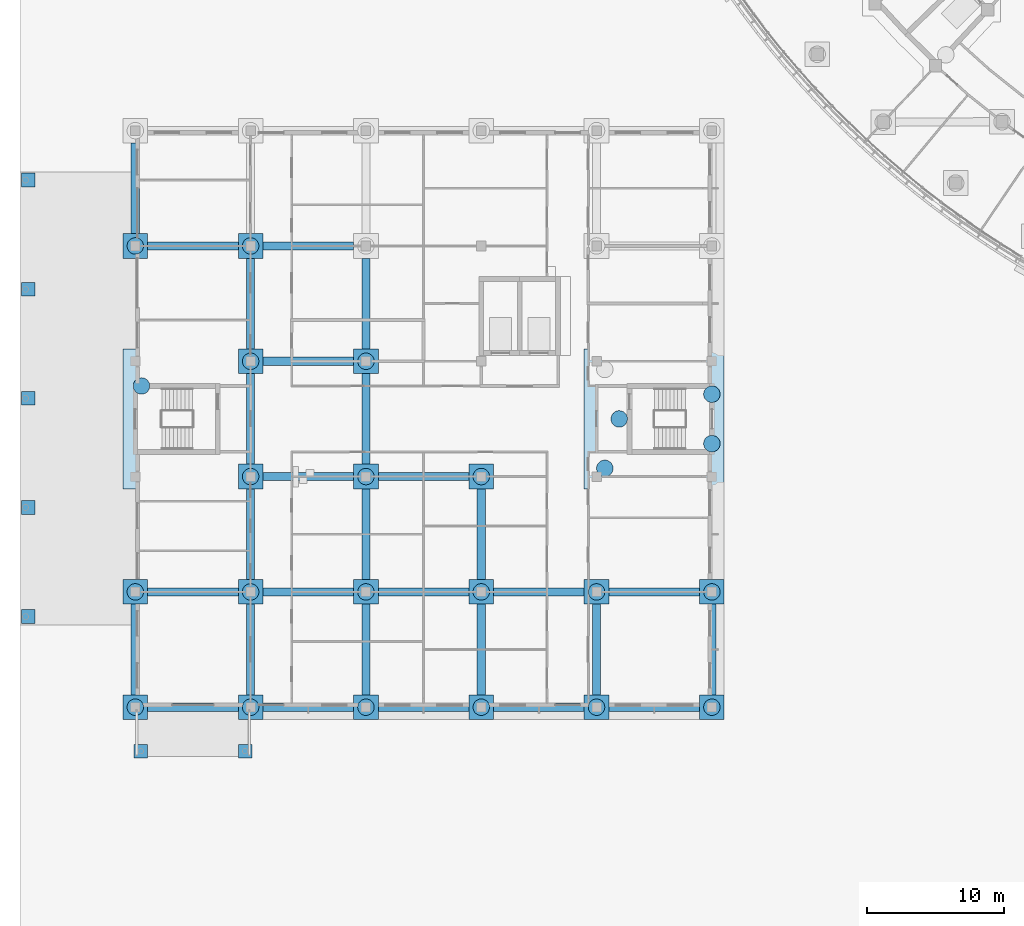
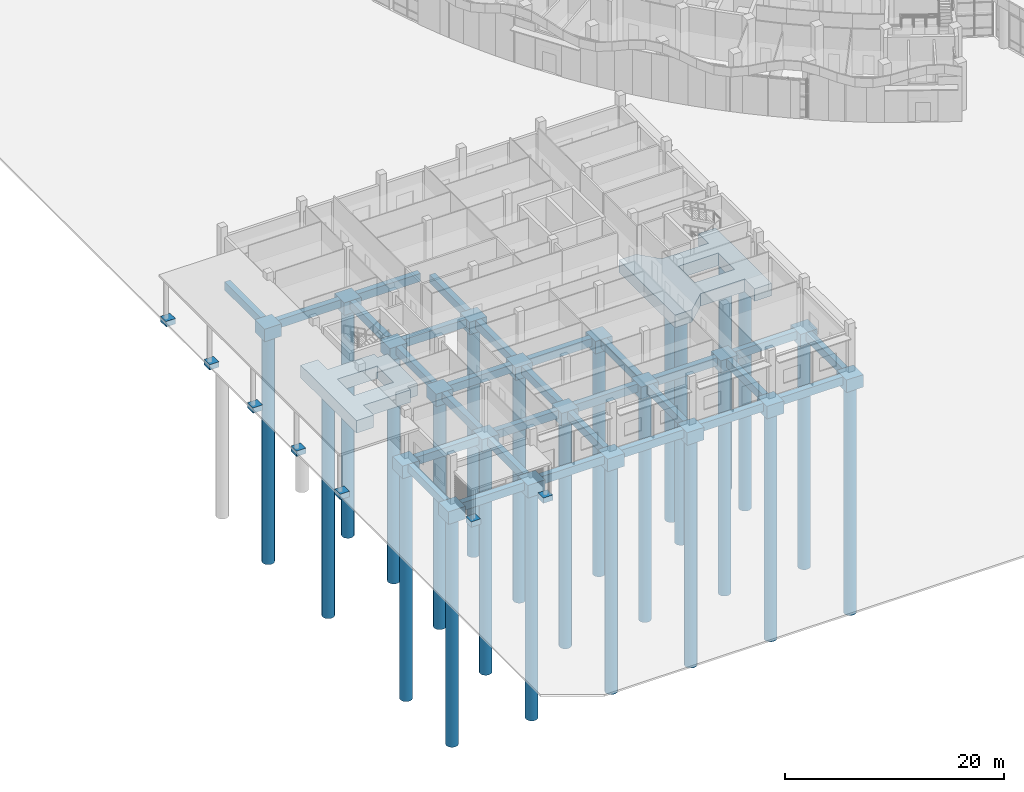
# One storey, part 1 of 146: 57 footings, 24 piles.
"""IFC4 building model written with IfcOpenShell, lengths in metres."""

from ifc_helpers import new_model, si_unit, direction, frame, origin, origin_2d, place, context, subcontext, project, spatial, polyline, rectangle, circle, outline, extrude, material, material_profile, profile_set, type_object, element, save


model = new_model("IFC4")

# Units and contexts
model_context = context("Model", 3, precision=1e-05, world=origin(), true_north=direction((0.0, 1.0)))
body_context = subcontext(model_context, "Body", "Model", "MODEL_VIEW")
ifc_project = project(units=[si_unit("LENGTHUNIT", "METRE"), si_unit("AREAUNIT", "SQUARE_METRE"), si_unit("VOLUMEUNIT", "CUBIC_METRE"), si_unit("PLANEANGLEUNIT", "RADIAN"), si_unit("MASSUNIT", "GRAM", prefix="KILO")], contexts=[model_context])

# Site, building, storey
site_placement = place(None, origin())
site = spatial("IfcSite", under=ifc_project, at=site_placement, CompositionType="ELEMENT")
building_placement = place(site_placement, origin())
building = spatial("IfcBuilding", under=site, at=building_placement, Name="Bougainvillea Quay General Hospital", CompositionType="ELEMENT")
storey_placement = place(building_placement, origin())
storey = spatial("IfcBuildingStorey", under=building, at=storey_placement, Name="L00", CompositionType="ELEMENT", Elevation=0.0)

# Piles
ifc_material_1 = material(Name="Concrete C40", Category="concrete")
ifc_material_profile_1 = material_profile(ifc_material_1, circle(Radius=0.60009765625, at=origin_2d()))
ifc_profile_set_1 = profile_set([ifc_material_profile_1], Name="Concrete C40")
pile_type = type_object("IfcPileType", Name="BORED PILE D1200 C40", PredefinedType="BORED", material=ifc_profile_set_1)
for number, where, z_axis, x_axis, name in (
    (1, (8.39990234375, 33.60009765625, -1.60009765625), (0.0, 0.0, -1.0), (1.0, 0.0, 0.0), "Bored pile 012-01"),
    (2, (16.800048828125, 33.60009765625, -1.60009765625), (0.0, 0.0, -1.0), (1.0, 0.0, 0.0), "Bored pile 013-01"),
    (3, (25.199951171875, 33.60009765625, -1.60009765625), (0.0, 0.0, -1.0), (1.0, 0.0, 0.0), "Bored pile 014-01"),
    (4, (33.60009765625, 33.60009765625, -1.60009765625), (0.0, 0.0, -1.0), (1.0, 0.0, 0.0), "Bored pile 015-01"),
    (5, (42.0, 33.60009765625, -1.60009765625), (0.0, 0.0, -1.0), (1.0, 0.0, 0.0), "Bored pile 016-01"),
    (6, (50.39990234375, 33.60009765625, -1.60009765625), (0.0, 0.0, -1.0), (1.0, 0.0, 0.0), "Bored pile 017-01"),
    (7, (8.39990234375, 42.0, -1.60009765625), (0.0, 0.0, -1.0), (1.0, 0.0, 0.0), "Bored pile 026-01"),
    (8, (16.800048828125, 42.0, -1.60009765625), (0.0, 0.0, -1.0), (1.0, 0.0, 0.0), "Bored pile 027-01"),
    (9, (25.199951171875, 42.0, -1.60009765625), (0.0, 0.0, -1.0), (1.0, 0.0, 0.0), "Bored pile 028-01"),
    (10, (33.60009765625, 42.0, -1.60009765625), (0.0, 0.0, -1.0), (1.0, 0.0, 0.0), "Bored pile 029-01"),
    (11, (42.0, 42.0, -1.60009765625), (0.0, 0.0, -1.0), (1.0, 0.0, 0.0), "Bored pile 030-01"),
    (12, (50.39990234375, 42.0, -1.60009765625), (0.0, 0.0, -1.0), (1.0, 0.0, 0.0), "Bored pile 031-01"),
    (13, (16.800048828125, 50.39990234375, -1.60009765625), (0.0, 0.0, -1.0), (1.0, 0.0, 0.0), "Bored pile 048-01"),
    (14, (25.199951171875, 50.39990234375, -1.60009765625), (0.0, 0.0, -1.0), (1.0, 0.0, 0.0), "Bored pile 049-01"),
    (15, (33.60009765625, 50.39990234375, -1.60009765625), (0.0, 0.0, -1.0), (1.0, 0.0, 0.0), "Bored pile 050-01"),
    (16, (42.60009765625, 51.0, -1.60009765625), (0.0, 0.0, -1.0), (1.0, 0.0, 0.0), "Bored pile 060-01"),
    (17, (50.39990234375, 52.800048828125, -1.60009765625), (0.0, 0.0, -1.0), (1.0, 0.0, 0.0), "Bored pile 060-02"),
    (18, (43.64990234375, 54.60009765625, -1.60009765625), (0.0, 0.0, -1.0), (1.0, 0.0, 0.0), "Bored pile 060-03"),
    (19, (50.39990234375, 56.39990234375, -1.60009765625), (0.0, 0.0, -1.0), (1.0, 0.0, 0.0), "Bored pile 060-04"),
    (20, (8.85009765625, 57.0, -1.60009765625), (0.0, 0.0, -1.0), (1.0, 0.0, 0.0), "Bored pile 063-01"),
    (21, (16.800048828125, 58.800048828125, -1.60009765625), (0.0, 0.0, -1.0), (1.0, 0.0, 0.0), "Bored pile 070-01"),
    (22, (25.199951171875, 58.800048828125, -1.60009765625), (0.0, 0.0, -1.0), (1.0, 0.0, 0.0), "Bored pile 071-01"),
    (23, (8.39990234375, 67.199951171875, -1.60009765625), (0.0, 0.0, -1.0), (1.0, 0.0, 0.0), "Bored pile 086-01"),
    (24, (16.800048828125, 67.199951171875, -1.60009765625), (0.0, 0.0, -1.0), (1.0, 0.0, 0.0), "Bored pile 087-01"),
):
    element("IfcPile", number, at=place(storey_placement, frame(where, z_axis=z_axis, x_axis=x_axis)), inside=storey, type_object=pile_type, Name=name, PredefinedType="BORED", context=body_context, shape_type="SweptSolid", body=[
        extrude(circle(Radius=0.60009765625, at=origin_2d()), origin(), (0.0, 0.0, 1.0), 25.39990234375),
    ])

# Footings
ifc_material_2 = material(Name="Concrete C35", Category="concrete")
footing_type_1 = type_object("IfcFootingType", Name="PAD FOOTING 1000x1000x600", PredefinedType="PAD_FOOTING", material=ifc_material_2)
footing_1_placement = place(storey_placement, frame((0.0, 0.0, -0.60009765625)))
element("IfcFooting", 25, at=footing_1_placement, inside=storey, type_object=footing_type_1, Name="Canopy post pad footing 1", PredefinedType="PAD_FOOTING", context=body_context, shape_type="SweptSolid", body=[
    extrude(outline(polyline([(0.10009765625, 39.699951171875), (1.10009765625, 39.699951171875), (1.10009765625, 40.699951171875), (0.10009765625, 40.699951171875), (0.10009765625, 39.699951171875)])), origin(), (0.0, 0.0, 1.0), 0.60009765625),
])
footing_2_placement = place(storey_placement, frame((0.0, 0.0, -0.60009765625)))
element("IfcFooting", 26, at=footing_2_placement, inside=storey, type_object=footing_type_1, Name="Canopy post pad footing 2", PredefinedType="PAD_FOOTING", context=body_context, shape_type="SweptSolid", body=[
    extrude(outline(polyline([(0.10009765625, 47.64990234375), (1.10009765625, 47.64990234375), (1.10009765625, 48.64990234375), (0.10009765625, 48.64990234375), (0.10009765625, 47.64990234375)])), origin(), (0.0, 0.0, 1.0), 0.60009765625),
])
footing_3_placement = place(storey_placement, frame((0.0, 0.0, -0.60009765625)))
element("IfcFooting", 27, at=footing_3_placement, inside=storey, type_object=footing_type_1, Name="Canopy post pad footing 3", PredefinedType="PAD_FOOTING", context=body_context, shape_type="SweptSolid", body=[
    extrude(outline(polyline([(0.10009765625, 55.60009765625), (1.10009765625, 55.60009765625), (1.10009765625, 56.60009765625), (0.10009765625, 56.60009765625), (0.10009765625, 55.60009765625)])), origin(), (0.0, 0.0, 1.0), 0.60009765625),
])
footing_4_placement = place(storey_placement, frame((0.0, 0.0, -0.60009765625)))
element("IfcFooting", 28, at=footing_4_placement, inside=storey, type_object=footing_type_1, Name="Canopy post pad footing 4", PredefinedType="PAD_FOOTING", context=body_context, shape_type="SweptSolid", body=[
    extrude(outline(polyline([(0.10009765625, 63.550048828125), (1.10009765625, 63.550048828125), (1.10009765625, 64.550048828125), (0.10009765625, 64.550048828125), (0.10009765625, 63.550048828125)])), origin(), (0.0, 0.0, 1.0), 0.60009765625),
])
footing_5_placement = place(storey_placement, frame((0.0, 0.0, -0.60009765625)))
element("IfcFooting", 29, at=footing_5_placement, inside=storey, type_object=footing_type_1, Name="Canopy post pad footing 5", PredefinedType="PAD_FOOTING", context=body_context, shape_type="SweptSolid", body=[
    extrude(outline(polyline([(0.10009765625, 71.5), (1.10009765625, 71.5), (1.10009765625, 72.5), (0.10009765625, 72.5), (0.10009765625, 71.5)])), origin(), (0.0, 0.0, 1.0), 0.60009765625),
])
footing_6_placement = place(storey_placement, frame((0.0, 0.0, -0.60009765625)))
element("IfcFooting", 30, at=footing_6_placement, inside=storey, type_object=footing_type_1, Name="Canopy post pad footing 1", PredefinedType="PAD_FOOTING", context=body_context, shape_type="SweptSolid", body=[
    extrude(outline(polyline([(8.300048828125, 29.89990234375), (9.300048828125, 29.89990234375), (9.300048828125, 30.89990234375), (8.300048828125, 30.89990234375), (8.300048828125, 29.89990234375)])), origin(), (0.0, 0.0, 1.0), 0.60009765625),
])
footing_7_placement = place(storey_placement, frame((0.0, 0.0, -0.60009765625)))
element("IfcFooting", 31, at=footing_7_placement, inside=storey, type_object=footing_type_1, Name="Canopy post pad footing 2", PredefinedType="PAD_FOOTING", context=body_context, shape_type="SweptSolid", body=[
    extrude(outline(polyline([(15.89990234375, 29.89990234375), (16.89990234375, 29.89990234375), (16.89990234375, 30.89990234375), (15.89990234375, 30.89990234375), (15.89990234375, 29.89990234375)])), origin(), (0.0, 0.0, 1.0), 0.60009765625),
])
footing_type_2 = type_object("IfcFootingType", Name="PILE CAP 1P D1200 1800x1800x1400", PredefinedType="PILE_CAP", material=ifc_material_2)
footing_8_placement = place(storey_placement, frame((0.0, 0.0, -1.699951171875)))
element("IfcFooting", 32, at=footing_8_placement, inside=storey, type_object=footing_type_2, Name="Pile cap PC1 012", PredefinedType="PILE_CAP", context=body_context, shape_type="SweptSolid", body=[
    extrude(outline(polyline([(7.5, 32.699951171875), (9.300048828125, 32.699951171875), (9.300048828125, 34.5), (7.5, 34.5), (7.5, 32.699951171875)])), origin(), (0.0, 0.0, 1.0), 1.39990234375),
])
footing_9_placement = place(storey_placement, frame((0.0, 0.0, -1.699951171875)))
element("IfcFooting", 33, at=footing_9_placement, inside=storey, type_object=footing_type_2, Name="Pile cap PC1 013", PredefinedType="PILE_CAP", context=body_context, shape_type="SweptSolid", body=[
    extrude(outline(polyline([(15.89990234375, 32.699951171875), (17.699951171875, 32.699951171875), (17.699951171875, 34.5), (15.89990234375, 34.5), (15.89990234375, 32.699951171875)])), origin(), (0.0, 0.0, 1.0), 1.39990234375),
])
footing_10_placement = place(storey_placement, frame((0.0, 0.0, -1.699951171875)))
element("IfcFooting", 34, at=footing_10_placement, inside=storey, type_object=footing_type_2, Name="Pile cap PC1 014", PredefinedType="PILE_CAP", context=body_context, shape_type="SweptSolid", body=[
    extrude(outline(polyline([(24.300048828125, 32.699951171875), (26.10009765625, 32.699951171875), (26.10009765625, 34.5), (24.300048828125, 34.5), (24.300048828125, 32.699951171875)])), origin(), (0.0, 0.0, 1.0), 1.39990234375),
])
footing_11_placement = place(storey_placement, frame((0.0, 0.0, -1.699951171875)))
element("IfcFooting", 35, at=footing_11_placement, inside=storey, type_object=footing_type_2, Name="Pile cap PC1 015", PredefinedType="PILE_CAP", context=body_context, shape_type="SweptSolid", body=[
    extrude(outline(polyline([(32.699951171875, 32.699951171875), (34.5, 32.699951171875), (34.5, 34.5), (32.699951171875, 34.5), (32.699951171875, 32.699951171875)])), origin(), (0.0, 0.0, 1.0), 1.39990234375),
])
footing_12_placement = place(storey_placement, frame((0.0, 0.0, -1.699951171875)))
element("IfcFooting", 36, at=footing_12_placement, inside=storey, type_object=footing_type_2, Name="Pile cap PC1 016", PredefinedType="PILE_CAP", context=body_context, shape_type="SweptSolid", body=[
    extrude(outline(polyline([(41.10009765625, 32.699951171875), (42.89990234375, 32.699951171875), (42.89990234375, 34.5), (41.10009765625, 34.5), (41.10009765625, 32.699951171875)])), origin(), (0.0, 0.0, 1.0), 1.39990234375),
])
footing_13_placement = place(storey_placement, frame((0.0, 0.0, -1.699951171875)))
element("IfcFooting", 37, at=footing_13_placement, inside=storey, type_object=footing_type_2, Name="Pile cap PC1 017", PredefinedType="PILE_CAP", context=body_context, shape_type="SweptSolid", body=[
    extrude(outline(polyline([(49.5, 32.699951171875), (51.300048828125, 32.699951171875), (51.300048828125, 34.5), (49.5, 34.5), (49.5, 32.699951171875)])), origin(), (0.0, 0.0, 1.0), 1.39990234375),
])
footing_14_placement = place(storey_placement, frame((0.0, 0.0, -1.699951171875)))
element("IfcFooting", 38, at=footing_14_placement, inside=storey, type_object=footing_type_2, Name="Pile cap PC1 026", PredefinedType="PILE_CAP", context=body_context, shape_type="SweptSolid", body=[
    extrude(outline(polyline([(7.5, 41.10009765625), (9.300048828125, 41.10009765625), (9.300048828125, 42.89990234375), (7.5, 42.89990234375), (7.5, 41.10009765625)])), origin(), (0.0, 0.0, 1.0), 1.39990234375),
])
footing_15_placement = place(storey_placement, frame((0.0, 0.0, -1.699951171875)))
element("IfcFooting", 39, at=footing_15_placement, inside=storey, type_object=footing_type_2, Name="Pile cap PC1 027", PredefinedType="PILE_CAP", context=body_context, shape_type="SweptSolid", body=[
    extrude(outline(polyline([(15.89990234375, 41.10009765625), (17.699951171875, 41.10009765625), (17.699951171875, 42.89990234375), (15.89990234375, 42.89990234375), (15.89990234375, 41.10009765625)])), origin(), (0.0, 0.0, 1.0), 1.39990234375),
])
footing_16_placement = place(storey_placement, frame((0.0, 0.0, -1.699951171875)))
element("IfcFooting", 40, at=footing_16_placement, inside=storey, type_object=footing_type_2, Name="Pile cap PC1 028", PredefinedType="PILE_CAP", context=body_context, shape_type="SweptSolid", body=[
    extrude(outline(polyline([(24.300048828125, 41.10009765625), (26.10009765625, 41.10009765625), (26.10009765625, 42.89990234375), (24.300048828125, 42.89990234375), (24.300048828125, 41.10009765625)])), origin(), (0.0, 0.0, 1.0), 1.39990234375),
])
footing_17_placement = place(storey_placement, frame((0.0, 0.0, -1.699951171875)))
element("IfcFooting", 41, at=footing_17_placement, inside=storey, type_object=footing_type_2, Name="Pile cap PC1 029", PredefinedType="PILE_CAP", context=body_context, shape_type="SweptSolid", body=[
    extrude(outline(polyline([(32.699951171875, 41.10009765625), (34.5, 41.10009765625), (34.5, 42.89990234375), (32.699951171875, 42.89990234375), (32.699951171875, 41.10009765625)])), origin(), (0.0, 0.0, 1.0), 1.39990234375),
])
footing_18_placement = place(storey_placement, frame((0.0, 0.0, -1.699951171875)))
element("IfcFooting", 42, at=footing_18_placement, inside=storey, type_object=footing_type_2, Name="Pile cap PC1 030", PredefinedType="PILE_CAP", context=body_context, shape_type="SweptSolid", body=[
    extrude(outline(polyline([(41.10009765625, 41.10009765625), (42.89990234375, 41.10009765625), (42.89990234375, 42.89990234375), (41.10009765625, 42.89990234375), (41.10009765625, 41.10009765625)])), origin(), (0.0, 0.0, 1.0), 1.39990234375),
])
footing_19_placement = place(storey_placement, frame((0.0, 0.0, -1.699951171875)))
element("IfcFooting", 43, at=footing_19_placement, inside=storey, type_object=footing_type_2, Name="Pile cap PC1 031", PredefinedType="PILE_CAP", context=body_context, shape_type="SweptSolid", body=[
    extrude(outline(polyline([(49.5, 41.10009765625), (51.300048828125, 41.10009765625), (51.300048828125, 42.89990234375), (49.5, 42.89990234375), (49.5, 41.10009765625)])), origin(), (0.0, 0.0, 1.0), 1.39990234375),
])
footing_20_placement = place(storey_placement, frame((0.0, 0.0, -1.699951171875)))
element("IfcFooting", 44, at=footing_20_placement, inside=storey, type_object=footing_type_2, Name="Pile cap PC1 048", PredefinedType="PILE_CAP", context=body_context, shape_type="SweptSolid", body=[
    extrude(outline(polyline([(15.89990234375, 49.5), (17.699951171875, 49.5), (17.699951171875, 51.300048828125), (15.89990234375, 51.300048828125), (15.89990234375, 49.5)])), origin(), (0.0, 0.0, 1.0), 1.39990234375),
])
footing_21_placement = place(storey_placement, frame((0.0, 0.0, -1.699951171875)))
element("IfcFooting", 45, at=footing_21_placement, inside=storey, type_object=footing_type_2, Name="Pile cap PC1 049", PredefinedType="PILE_CAP", context=body_context, shape_type="SweptSolid", body=[
    extrude(outline(polyline([(24.300048828125, 49.5), (26.10009765625, 49.5), (26.10009765625, 51.300048828125), (24.300048828125, 51.300048828125), (24.300048828125, 49.5)])), origin(), (0.0, 0.0, 1.0), 1.39990234375),
])
footing_22_placement = place(storey_placement, frame((0.0, 0.0, -1.699951171875)))
element("IfcFooting", 46, at=footing_22_placement, inside=storey, type_object=footing_type_2, Name="Pile cap PC1 050", PredefinedType="PILE_CAP", context=body_context, shape_type="SweptSolid", body=[
    extrude(outline(polyline([(32.699951171875, 49.5), (34.5, 49.5), (34.5, 51.300048828125), (32.699951171875, 51.300048828125), (32.699951171875, 49.5)])), origin(), (0.0, 0.0, 1.0), 1.39990234375),
])
footing_23_placement = place(storey_placement, frame((0.0, 0.0, -1.699951171875)))
element("IfcFooting", 47, at=footing_23_placement, inside=storey, type_object=footing_type_2, Name="Pile cap PC1 070", PredefinedType="PILE_CAP", context=body_context, shape_type="SweptSolid", body=[
    extrude(outline(polyline([(15.89990234375, 57.89990234375), (17.699951171875, 57.89990234375), (17.699951171875, 59.699951171875), (15.89990234375, 59.699951171875), (15.89990234375, 57.89990234375)])), origin(), (0.0, 0.0, 1.0), 1.39990234375),
])
footing_24_placement = place(storey_placement, frame((0.0, 0.0, -1.699951171875)))
element("IfcFooting", 48, at=footing_24_placement, inside=storey, type_object=footing_type_2, Name="Pile cap PC1 071", PredefinedType="PILE_CAP", context=body_context, shape_type="SweptSolid", body=[
    extrude(outline(polyline([(24.300048828125, 57.89990234375), (26.10009765625, 57.89990234375), (26.10009765625, 59.699951171875), (24.300048828125, 59.699951171875), (24.300048828125, 57.89990234375)])), origin(), (0.0, 0.0, 1.0), 1.39990234375),
])
footing_25_placement = place(storey_placement, frame((0.0, 0.0, -1.699951171875)))
element("IfcFooting", 49, at=footing_25_placement, inside=storey, type_object=footing_type_2, Name="Pile cap PC1 086", PredefinedType="PILE_CAP", context=body_context, shape_type="SweptSolid", body=[
    extrude(outline(polyline([(7.5, 66.300048828125), (9.300048828125, 66.300048828125), (9.300048828125, 68.10009765625), (7.5, 68.10009765625), (7.5, 66.300048828125)])), origin(), (0.0, 0.0, 1.0), 1.39990234375),
])
footing_26_placement = place(storey_placement, frame((0.0, 0.0, -1.699951171875)))
element("IfcFooting", 50, at=footing_26_placement, inside=storey, type_object=footing_type_2, Name="Pile cap PC1 087", PredefinedType="PILE_CAP", context=body_context, shape_type="SweptSolid", body=[
    extrude(outline(polyline([(15.89990234375, 66.300048828125), (17.699951171875, 66.300048828125), (17.699951171875, 68.10009765625), (15.89990234375, 68.10009765625), (15.89990234375, 66.300048828125)])), origin(), (0.0, 0.0, 1.0), 1.39990234375),
])
footing_type_3 = type_object("IfcFootingType", Name="PILE CAP RAFT 1P D1200 4407", PredefinedType="PILE_CAP", material=ifc_material_2)
footing_27_placement = place(storey_placement, frame((0.0, 0.0, -1.699951171875)))
element("IfcFooting", 51, at=footing_27_placement, inside=storey, type_object=footing_type_3, Name="Pile cap PC5 063", PredefinedType="PILE_CAP", context=body_context, shape_type="SweptSolid", body=[
    extrude(outline(polyline([(14.22509765625, 51.300048828125), (9.300048828125, 51.300048828125), (9.300048828125, 49.5), (7.5, 49.5), (7.5, 59.699951171875), (9.300048828125, 59.699951171875), (9.300048828125, 57.89990234375), (14.22509765625, 57.89990234375), (14.22509765625, 57.300048828125), (15.300048828125, 57.300048828125), (15.300048828125, 51.89990234375), (14.22509765625, 51.89990234375), (14.22509765625, 51.300048828125)]), holes=[polyline([(9.300048828125, 56.10009765625), (9.300048828125, 53.10009765625), (13.5, 53.10009765625), (13.5, 56.10009765625), (9.300048828125, 56.10009765625)])]), origin(), (0.0, 0.0, 1.0), 1.39990234375),
])
footing_type_4 = type_object("IfcFootingType", Name="PILE CAP RAFT 5P D1200 7094", PredefinedType="PILE_CAP", material=ifc_material_2)
footing_28_placement = place(storey_placement, frame((0.0, 0.0, -1.699951171875)))
element("IfcFooting", 52, at=footing_28_placement, inside=storey, type_object=footing_type_4, Name="Pile cap PC4 060", PredefinedType="PILE_CAP", context=body_context, shape_type="SweptSolid", body=[
    extrude(outline(polyline([(44.841552734375, 51.300048828125), (42.89990234375, 49.5), (41.10009765625, 49.5), (41.10009765625, 59.699951171875), (42.89990234375, 59.699951171875), (44.57763671875, 57.89990234375), (49.5, 57.89990234375), (49.5, 59.699951171875), (51.300048828125, 59.699951171875), (51.300048828125, 49.5), (49.5, 49.5), (49.5, 51.300048828125), (44.841552734375, 51.300048828125)]), holes=[polyline([(45.300048828125, 56.10009765625), (45.300048828125, 53.10009765625), (49.5, 53.10009765625), (49.5, 56.10009765625), (45.300048828125, 56.10009765625)])]), origin(), (0.0, 0.0, 1.0), 1.39990234375),
])
ifc_material_profile_2 = material_profile(ifc_material_2, rectangle(XDim=0.60009765625, YDim=0.89990234375, at=origin_2d()))
ifc_profile_set_2 = profile_set([ifc_material_profile_2], Name="Concrete C35")
footing_type_5 = type_object("IfcFootingType", Name="RC GROUND BEAM 600x900 C35", PredefinedType="FOOTING_BEAM", material=ifc_profile_set_2)
footing_29_placement = place(storey_placement, frame((0.0, 0.0, -1.199951171875)))
element("IfcFooting", 53, at=footing_29_placement, inside=storey, type_object=footing_type_5, Name="Ground beam 007", PredefinedType="FOOTING_BEAM", context=body_context, shape_type="SweptSolid", body=[
    extrude(outline(polyline([(9.300048828125, 33.89990234375), (15.89990234375, 33.89990234375), (15.89990234375, 33.300048828125), (9.300048828125, 33.300048828125), (9.300048828125, 33.89990234375)])), origin(), (0.0, 0.0, 1.0), 0.89990234375),
])
footing_30_placement = place(storey_placement, frame((0.0, 0.0, -1.199951171875)))
element("IfcFooting", 54, at=footing_30_placement, inside=storey, type_object=footing_type_5, Name="Ground beam 008", PredefinedType="FOOTING_BEAM", context=body_context, shape_type="SweptSolid", body=[
    extrude(outline(polyline([(8.10009765625, 34.5), (8.10009765625, 41.10009765625), (8.699951171875, 41.10009765625), (8.699951171875, 34.5), (8.10009765625, 34.5)])), origin(), (0.0, 0.0, 1.0), 0.89990234375),
])
footing_31_placement = place(storey_placement, frame((0.0, 0.0, -1.199951171875)))
element("IfcFooting", 55, at=footing_31_placement, inside=storey, type_object=footing_type_5, Name="Ground beam 009", PredefinedType="FOOTING_BEAM", context=body_context, shape_type="SweptSolid", body=[
    extrude(outline(polyline([(17.699951171875, 33.89990234375), (24.300048828125, 33.89990234375), (24.300048828125, 33.300048828125), (17.699951171875, 33.300048828125), (17.699951171875, 33.89990234375)])), origin(), (0.0, 0.0, 1.0), 0.89990234375),
])
footing_32_placement = place(storey_placement, frame((0.0, 0.0, -1.199951171875)))
element("IfcFooting", 56, at=footing_32_placement, inside=storey, type_object=footing_type_5, Name="Ground beam 010", PredefinedType="FOOTING_BEAM", context=body_context, shape_type="SweptSolid", body=[
    extrude(outline(polyline([(16.5, 34.5), (16.5, 41.10009765625), (17.10009765625, 41.10009765625), (17.10009765625, 34.5), (16.5, 34.5)])), origin(), (0.0, 0.0, 1.0), 0.89990234375),
])
footing_33_placement = place(storey_placement, frame((0.0, 0.0, -1.199951171875)))
element("IfcFooting", 57, at=footing_33_placement, inside=storey, type_object=footing_type_5, Name="Ground beam 011", PredefinedType="FOOTING_BEAM", context=body_context, shape_type="SweptSolid", body=[
    extrude(outline(polyline([(26.10009765625, 33.89990234375), (32.699951171875, 33.89990234375), (32.699951171875, 33.300048828125), (26.10009765625, 33.300048828125), (26.10009765625, 33.89990234375)])), origin(), (0.0, 0.0, 1.0), 0.89990234375),
])
footing_34_placement = place(storey_placement, frame((0.0, 0.0, -1.199951171875)))
element("IfcFooting", 58, at=footing_34_placement, inside=storey, type_object=footing_type_5, Name="Ground beam 012", PredefinedType="FOOTING_BEAM", context=body_context, shape_type="SweptSolid", body=[
    extrude(outline(polyline([(24.89990234375, 34.5), (24.89990234375, 41.10009765625), (25.5, 41.10009765625), (25.5, 34.5), (24.89990234375, 34.5)])), origin(), (0.0, 0.0, 1.0), 0.89990234375),
])
footing_35_placement = place(storey_placement, frame((0.0, 0.0, -1.199951171875)))
element("IfcFooting", 59, at=footing_35_placement, inside=storey, type_object=footing_type_5, Name="Ground beam 013", PredefinedType="FOOTING_BEAM", context=body_context, shape_type="SweptSolid", body=[
    extrude(outline(polyline([(34.5, 33.89990234375), (41.10009765625, 33.89990234375), (41.10009765625, 33.300048828125), (34.5, 33.300048828125), (34.5, 33.89990234375)])), origin(), (0.0, 0.0, 1.0), 0.89990234375),
])
footing_36_placement = place(storey_placement, frame((0.0, 0.0, -1.199951171875)))
element("IfcFooting", 60, at=footing_36_placement, inside=storey, type_object=footing_type_5, Name="Ground beam 014", PredefinedType="FOOTING_BEAM", context=body_context, shape_type="SweptSolid", body=[
    extrude(outline(polyline([(33.300048828125, 34.5), (33.300048828125, 41.10009765625), (33.89990234375, 41.10009765625), (33.89990234375, 34.5), (33.300048828125, 34.5)])), origin(), (0.0, 0.0, 1.0), 0.89990234375),
])
footing_37_placement = place(storey_placement, frame((0.0, 0.0, -1.199951171875)))
element("IfcFooting", 61, at=footing_37_placement, inside=storey, type_object=footing_type_5, Name="Ground beam 015", PredefinedType="FOOTING_BEAM", context=body_context, shape_type="SweptSolid", body=[
    extrude(outline(polyline([(42.89990234375, 33.89990234375), (49.5, 33.89990234375), (49.5, 33.300048828125), (42.89990234375, 33.300048828125), (42.89990234375, 33.89990234375)])), origin(), (0.0, 0.0, 1.0), 0.89990234375),
])
footing_38_placement = place(storey_placement, frame((0.0, 0.0, -1.199951171875)))
element("IfcFooting", 62, at=footing_38_placement, inside=storey, type_object=footing_type_5, Name="Ground beam 016", PredefinedType="FOOTING_BEAM", context=body_context, shape_type="SweptSolid", body=[
    extrude(outline(polyline([(41.699951171875, 34.5), (41.699951171875, 41.10009765625), (42.300048828125, 41.10009765625), (42.300048828125, 34.5), (41.699951171875, 34.5)])), origin(), (0.0, 0.0, 1.0), 0.89990234375),
])
footing_39_placement = place(storey_placement, frame((0.0, 0.0, -1.199951171875)))
element("IfcFooting", 63, at=footing_39_placement, inside=storey, type_object=footing_type_5, Name="Ground beam 017", PredefinedType="FOOTING_BEAM", context=body_context, shape_type="SweptSolid", body=[
    extrude(outline(polyline([(50.10009765625, 34.5), (50.10009765625, 41.10009765625), (50.699951171875, 41.10009765625), (50.699951171875, 34.5), (50.10009765625, 34.5)])), origin(), (0.0, 0.0, 1.0), 0.89990234375),
])
footing_40_placement = place(storey_placement, frame((0.0, 0.0, -1.199951171875)))
element("IfcFooting", 64, at=footing_40_placement, inside=storey, type_object=footing_type_5, Name="Ground beam 023", PredefinedType="FOOTING_BEAM", context=body_context, shape_type="SweptSolid", body=[
    extrude(outline(polyline([(9.300048828125, 42.300048828125), (15.89990234375, 42.300048828125), (15.89990234375, 41.699951171875), (9.300048828125, 41.699951171875), (9.300048828125, 42.300048828125)])), origin(), (0.0, 0.0, 1.0), 0.89990234375),
])
footing_41_placement = place(storey_placement, frame((0.0, 0.0, -1.199951171875)))
element("IfcFooting", 65, at=footing_41_placement, inside=storey, type_object=footing_type_5, Name="Ground beam 025", PredefinedType="FOOTING_BEAM", context=body_context, shape_type="SweptSolid", body=[
    extrude(outline(polyline([(17.699951171875, 42.300048828125), (24.300048828125, 42.300048828125), (24.300048828125, 41.699951171875), (17.699951171875, 41.699951171875), (17.699951171875, 42.300048828125)])), origin(), (0.0, 0.0, 1.0), 0.89990234375),
])
footing_42_placement = place(storey_placement, frame((0.0, 0.0, -1.199951171875)))
element("IfcFooting", 66, at=footing_42_placement, inside=storey, type_object=footing_type_5, Name="Ground beam 026", PredefinedType="FOOTING_BEAM", context=body_context, shape_type="SweptSolid", body=[
    extrude(outline(polyline([(16.5, 42.89990234375), (16.5, 49.5), (17.10009765625, 49.5), (17.10009765625, 42.89990234375), (16.5, 42.89990234375)])), origin(), (0.0, 0.0, 1.0), 0.89990234375),
])
footing_43_placement = place(storey_placement, frame((0.0, 0.0, -1.199951171875)))
element("IfcFooting", 67, at=footing_43_placement, inside=storey, type_object=footing_type_5, Name="Ground beam 027", PredefinedType="FOOTING_BEAM", context=body_context, shape_type="SweptSolid", body=[
    extrude(outline(polyline([(26.10009765625, 42.300048828125), (32.699951171875, 42.300048828125), (32.699951171875, 41.699951171875), (26.10009765625, 41.699951171875), (26.10009765625, 42.300048828125)])), origin(), (0.0, 0.0, 1.0), 0.89990234375),
])
footing_44_placement = place(storey_placement, frame((0.0, 0.0, -1.199951171875)))
element("IfcFooting", 68, at=footing_44_placement, inside=storey, type_object=footing_type_5, Name="Ground beam 028", PredefinedType="FOOTING_BEAM", context=body_context, shape_type="SweptSolid", body=[
    extrude(outline(polyline([(24.89990234375, 42.89990234375), (24.89990234375, 49.5), (25.5, 49.5), (25.5, 42.89990234375), (24.89990234375, 42.89990234375)])), origin(), (0.0, 0.0, 1.0), 0.89990234375),
])
footing_45_placement = place(storey_placement, frame((0.0, 0.0, -1.199951171875)))
element("IfcFooting", 69, at=footing_45_placement, inside=storey, type_object=footing_type_5, Name="Ground beam 029", PredefinedType="FOOTING_BEAM", context=body_context, shape_type="SweptSolid", body=[
    extrude(outline(polyline([(34.5, 42.300048828125), (41.10009765625, 42.300048828125), (41.10009765625, 41.699951171875), (34.5, 41.699951171875), (34.5, 42.300048828125)])), origin(), (0.0, 0.0, 1.0), 0.89990234375),
])
footing_46_placement = place(storey_placement, frame((0.0, 0.0, -1.199951171875)))
element("IfcFooting", 70, at=footing_46_placement, inside=storey, type_object=footing_type_5, Name="Ground beam 030", PredefinedType="FOOTING_BEAM", context=body_context, shape_type="SweptSolid", body=[
    extrude(outline(polyline([(33.300048828125, 42.89990234375), (33.300048828125, 49.5), (33.89990234375, 49.5), (33.89990234375, 42.89990234375), (33.300048828125, 42.89990234375)])), origin(), (0.0, 0.0, 1.0), 0.89990234375),
])
footing_47_placement = place(storey_placement, frame((0.0, 0.0, -1.199951171875)))
element("IfcFooting", 71, at=footing_47_placement, inside=storey, type_object=footing_type_5, Name="Ground beam 031", PredefinedType="FOOTING_BEAM", context=body_context, shape_type="SweptSolid", body=[
    extrude(outline(polyline([(42.89990234375, 42.300048828125), (49.5, 42.300048828125), (49.5, 41.699951171875), (42.89990234375, 41.699951171875), (42.89990234375, 42.300048828125)])), origin(), (0.0, 0.0, 1.0), 0.89990234375),
])
footing_48_placement = place(storey_placement, frame((0.0, 0.0, -1.199951171875)))
element("IfcFooting", 72, at=footing_48_placement, inside=storey, type_object=footing_type_5, Name="Ground beam 046", PredefinedType="FOOTING_BEAM", context=body_context, shape_type="SweptSolid", body=[
    extrude(outline(polyline([(17.699951171875, 50.699951171875), (24.300048828125, 50.699951171875), (24.300048828125, 50.10009765625), (17.699951171875, 50.10009765625), (17.699951171875, 50.699951171875)])), origin(), (0.0, 0.0, 1.0), 0.89990234375),
])
footing_49_placement = place(storey_placement, frame((0.0, 0.0, -1.199951171875)))
element("IfcFooting", 73, at=footing_49_placement, inside=storey, type_object=footing_type_5, Name="Ground beam 047", PredefinedType="FOOTING_BEAM", context=body_context, shape_type="SweptSolid", body=[
    extrude(outline(polyline([(16.5, 51.300048828125), (16.5, 57.89990234375), (17.10009765625, 57.89990234375), (17.10009765625, 51.300048828125), (16.5, 51.300048828125)])), origin(), (0.0, 0.0, 1.0), 0.89990234375),
])
footing_50_placement = place(storey_placement, frame((0.0, 0.0, -1.199951171875)))
element("IfcFooting", 74, at=footing_50_placement, inside=storey, type_object=footing_type_5, Name="Ground beam 048", PredefinedType="FOOTING_BEAM", context=body_context, shape_type="SweptSolid", body=[
    extrude(outline(polyline([(26.10009765625, 50.699951171875), (32.699951171875, 50.699951171875), (32.699951171875, 50.10009765625), (26.10009765625, 50.10009765625), (26.10009765625, 50.699951171875)])), origin(), (0.0, 0.0, 1.0), 0.89990234375),
])
footing_51_placement = place(storey_placement, frame((0.0, 0.0, -1.199951171875)))
element("IfcFooting", 75, at=footing_51_placement, inside=storey, type_object=footing_type_5, Name="Ground beam 049", PredefinedType="FOOTING_BEAM", context=body_context, shape_type="SweptSolid", body=[
    extrude(outline(polyline([(24.89990234375, 51.300048828125), (24.89990234375, 57.89990234375), (25.5, 57.89990234375), (25.5, 51.300048828125), (24.89990234375, 51.300048828125)])), origin(), (0.0, 0.0, 1.0), 0.89990234375),
])
footing_52_placement = place(storey_placement, frame((0.0, 0.0, -1.199951171875)))
element("IfcFooting", 76, at=footing_52_placement, inside=storey, type_object=footing_type_5, Name="Ground beam 073", PredefinedType="FOOTING_BEAM", context=body_context, shape_type="SweptSolid", body=[
    extrude(outline(polyline([(17.699951171875, 59.10009765625), (24.300048828125, 59.10009765625), (24.300048828125, 58.5), (17.699951171875, 58.5), (17.699951171875, 59.10009765625)])), origin(), (0.0, 0.0, 1.0), 0.89990234375),
])
footing_53_placement = place(storey_placement, frame((0.0, 0.0, -1.199951171875)))
element("IfcFooting", 77, at=footing_53_placement, inside=storey, type_object=footing_type_5, Name="Ground beam 074", PredefinedType="FOOTING_BEAM", context=body_context, shape_type="SweptSolid", body=[
    extrude(outline(polyline([(16.5, 59.699951171875), (16.5, 66.300048828125), (17.10009765625, 66.300048828125), (17.10009765625, 59.699951171875), (16.5, 59.699951171875)])), origin(), (0.0, 0.0, 1.0), 0.89990234375),
])
footing_54_placement = place(storey_placement, frame((0.0, 0.0, -1.199951171875)))
element("IfcFooting", 78, at=footing_54_placement, inside=storey, type_object=footing_type_5, Name="Ground beam 075", PredefinedType="FOOTING_BEAM", context=body_context, shape_type="SweptSolid", body=[
    extrude(outline(polyline([(24.89990234375, 59.699951171875), (24.89990234375, 66.300048828125), (25.5, 66.300048828125), (25.5, 59.699951171875), (24.89990234375, 59.699951171875)])), origin(), (0.0, 0.0, 1.0), 0.89990234375),
])
footing_55_placement = place(storey_placement, frame((0.0, 0.0, -1.199951171875)))
element("IfcFooting", 79, at=footing_55_placement, inside=storey, type_object=footing_type_5, Name="Ground beam 090", PredefinedType="FOOTING_BEAM", context=body_context, shape_type="SweptSolid", body=[
    extrude(outline(polyline([(9.300048828125, 67.5), (15.89990234375, 67.5), (15.89990234375, 66.89990234375), (9.300048828125, 66.89990234375), (9.300048828125, 67.5)])), origin(), (0.0, 0.0, 1.0), 0.89990234375),
])
footing_56_placement = place(storey_placement, frame((0.0, 0.0, -1.199951171875)))
element("IfcFooting", 80, at=footing_56_placement, inside=storey, type_object=footing_type_5, Name="Ground beam 091", PredefinedType="FOOTING_BEAM", context=body_context, shape_type="SweptSolid", body=[
    extrude(outline(polyline([(8.10009765625, 68.10009765625), (8.10009765625, 74.699951171875), (8.699951171875, 74.699951171875), (8.699951171875, 68.10009765625), (8.10009765625, 68.10009765625)])), origin(), (0.0, 0.0, 1.0), 0.89990234375),
])
footing_57_placement = place(storey_placement, frame((0.0, 0.0, -1.199951171875)))
element("IfcFooting", 81, at=footing_57_placement, inside=storey, type_object=footing_type_5, Name="Ground beam 092", PredefinedType="FOOTING_BEAM", context=body_context, shape_type="SweptSolid", body=[
    extrude(outline(polyline([(17.699951171875, 67.5), (24.300048828125, 67.5), (24.300048828125, 66.89990234375), (17.699951171875, 66.89990234375), (17.699951171875, 67.5)])), origin(), (0.0, 0.0, 1.0), 0.89990234375),
])

save(model, "model.ifc")
